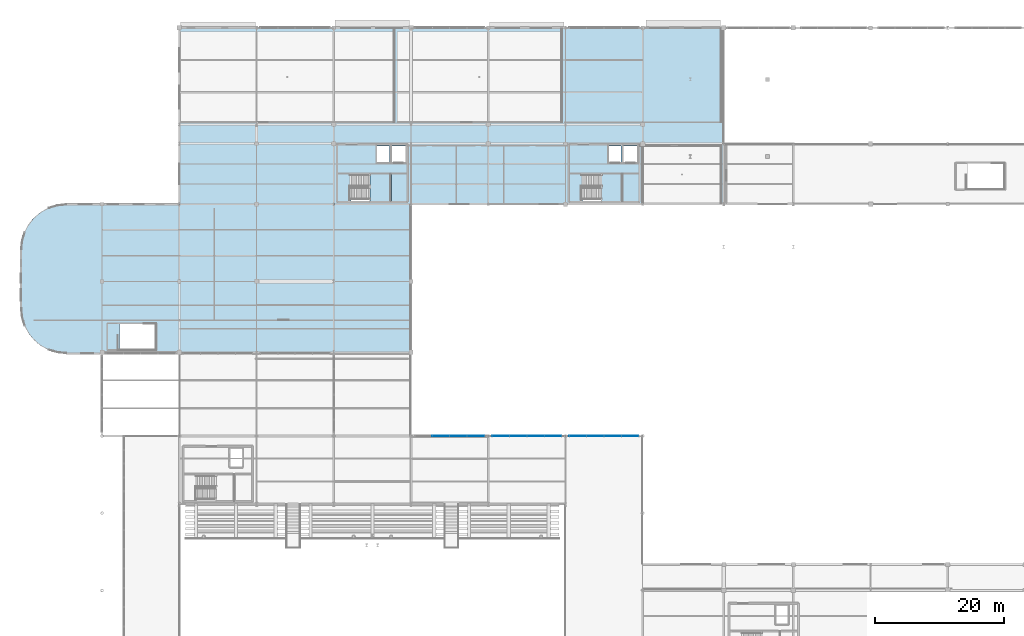
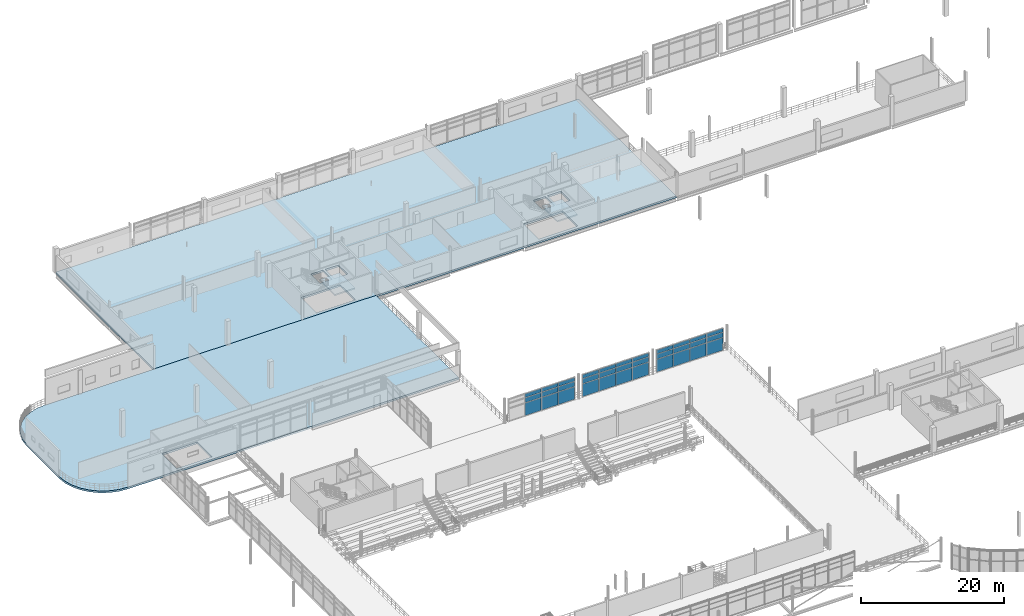
# One storey, part 59 of 89: 33 plates, 4 slabs, 5 elements without a shape of their own.
"""IFC4 building model written with IfcOpenShell, lengths in metres."""

from ifc_helpers import new_model, si_unit, direction, frame, origin, origin_2d, place, context, subcontext, project, spatial, polyline, rectangle, outline, extrude, material, layer, layer_set, type_object, element, aggregate, save


model = new_model("IFC4")

# Units and contexts
model_context = context("Model", 3, precision=1e-05, world=origin(), true_north=direction((0.0, 1.0)))
body_context = subcontext(model_context, "Body", "Model", "MODEL_VIEW")
ifc_project = project(units=[si_unit("LENGTHUNIT", "METRE"), si_unit("AREAUNIT", "SQUARE_METRE"), si_unit("VOLUMEUNIT", "CUBIC_METRE"), si_unit("PLANEANGLEUNIT", "RADIAN"), si_unit("MASSUNIT", "GRAM", prefix="KILO"), si_unit("THERMODYNAMICTEMPERATUREUNIT", "KELVIN"), si_unit("POWERUNIT", "WATT")], contexts=[model_context])

# Site, building, storey
site_placement = place(None, origin())
site = spatial("IfcSite", under=ifc_project, at=site_placement, CompositionType="ELEMENT")
building_placement = place(site_placement, origin())
building = spatial("IfcBuilding", under=site, at=building_placement, Name="Solmara Park Aquatics Centre", CompositionType="ELEMENT")
storey_placement = place(building_placement, frame((0.0, 0.0, 5.39990234375)))
storey = spatial("IfcBuildingStorey", under=building, at=storey_placement, Name="L01", CompositionType="ELEMENT", Elevation=5.39990234375)

# Curtain wall, plates
ifc_material_1 = material(Name="Anodised Aluminium Curtain Wall Framing", Category="aluminium")
curtain_wall_type = type_object("IfcCurtainWallType", Name="ARC-CW-SYS05", PredefinedType="USERDEFINED", material=ifc_material_1)
curtain_wall_1_placement = place(storey_placement, origin())
curtain_wall_1 = element("IfcCurtainWall", 1, at=curtain_wall_1_placement, inside=storey, type_object=curtain_wall_type, Name="Curtain Wall CW-022", ObjectType="CURTAIN WALL", PredefinedType="USERDEFINED")
ifc_material_2 = material(Name="Double Low-E Solar-Control Glazing", Category="glass")
ifc_layer_1 = layer(ifc_material_2, 0.035888671875, Name="Double Low-E Solar-Control Glazing")
ifc_layer_set_1 = layer_set([ifc_layer_1], Name="Double Low-E Solar-Control Glazing")
plate_type_1 = type_object("IfcPlateType", Name="ARC-CWP-GLZ36-2620x2140", PredefinedType="CURTAIN_PANEL", material=ifc_layer_set_1)
plate_1_placement = place(storey_placement, frame((65.22998046875, 72.60009765625, 0.080078125), z_axis=(0.0, 0.0, 1.0), x_axis=(1.0, 0.0, 0.0)))
plate_1 = element("IfcPlate", 2, at=plate_1_placement, type_object=plate_type_1, Name="CW-022 panel 4", PredefinedType="CURTAIN_PANEL", context=body_context, shape_type="SweptSolid", body=[
    extrude(rectangle(XDim=2.6201171875, YDim=0.035888671875, at=origin_2d()), origin(), (0.0, 0.0, 1.0), 2.14208984375),
])
plate_2_placement = place(storey_placement, frame((67.929931640625, 72.60009765625, 0.080078125), z_axis=(0.0, 0.0, 1.0), x_axis=(1.0, 0.0, 0.0)))
plate_2 = element("IfcPlate", 3, at=plate_2_placement, type_object=plate_type_1, Name="CW-022 panel 7", PredefinedType="CURTAIN_PANEL", context=body_context, shape_type="SweptSolid", body=[
    extrude(rectangle(XDim=2.6201171875, YDim=0.035888671875, at=origin_2d()), origin(), (0.0, 0.0, 1.0), 2.14208984375),
])
plate_3_placement = place(storey_placement, frame((70.6298828125, 72.60009765625, 0.080078125), z_axis=(0.0, 0.0, 1.0), x_axis=(1.0, 0.0, 0.0)))
plate_3 = element("IfcPlate", 4, at=plate_3_placement, type_object=plate_type_1, Name="CW-022 panel 10", PredefinedType="CURTAIN_PANEL", context=body_context, shape_type="SweptSolid", body=[
    extrude(rectangle(XDim=2.6201171875, YDim=0.035888671875, at=origin_2d()), origin(), (0.0, 0.0, 1.0), 2.14208984375),
])

curtain_wall_2_placement = place(storey_placement, origin())
curtain_wall_2 = element("IfcCurtainWall", 5, at=curtain_wall_2_placement, inside=storey, type_object=curtain_wall_type, Name="Curtain Wall CW-024", ObjectType="CURTAIN WALL", PredefinedType="USERDEFINED")
plate_4_placement = place(storey_placement, frame((74.530029296875, 72.60009765625, 0.080078125), z_axis=(0.0, 0.0, 1.0), x_axis=(1.0, 0.0, 0.0)))
plate_4 = element("IfcPlate", 6, at=plate_4_placement, type_object=plate_type_1, Name="CW-024 panel 1", PredefinedType="CURTAIN_PANEL", context=body_context, shape_type="SweptSolid", body=[
    extrude(rectangle(XDim=2.6201171875, YDim=0.035888671875, at=origin_2d()), origin(), (0.0, 0.0, 1.0), 2.14208984375),
])
plate_5_placement = place(storey_placement, frame((77.22998046875, 72.60009765625, 0.080078125), z_axis=(0.0, 0.0, 1.0), x_axis=(1.0, 0.0, 0.0)))
plate_5 = element("IfcPlate", 7, at=plate_5_placement, type_object=plate_type_1, Name="CW-024 panel 4", PredefinedType="CURTAIN_PANEL", context=body_context, shape_type="SweptSolid", body=[
    extrude(rectangle(XDim=2.6201171875, YDim=0.035888671875, at=origin_2d()), origin(), (0.0, 0.0, 1.0), 2.14208984375),
])
plate_6_placement = place(storey_placement, frame((79.929931640625, 72.60009765625, 0.080078125), z_axis=(0.0, 0.0, 1.0), x_axis=(1.0, 0.0, 0.0)))
plate_6 = element("IfcPlate", 8, at=plate_6_placement, type_object=plate_type_1, Name="CW-024 panel 7", PredefinedType="CURTAIN_PANEL", context=body_context, shape_type="SweptSolid", body=[
    extrude(rectangle(XDim=2.6201171875, YDim=0.035888671875, at=origin_2d()), origin(), (0.0, 0.0, 1.0), 2.14208984375),
])
plate_7_placement = place(storey_placement, frame((82.6298828125, 72.60009765625, 0.080078125), z_axis=(0.0, 0.0, 1.0), x_axis=(1.0, 0.0, 0.0)))
plate_7 = element("IfcPlate", 9, at=plate_7_placement, type_object=plate_type_1, Name="CW-024 panel 10", PredefinedType="CURTAIN_PANEL", context=body_context, shape_type="SweptSolid", body=[
    extrude(rectangle(XDim=2.6201171875, YDim=0.035888671875, at=origin_2d()), origin(), (0.0, 0.0, 1.0), 2.14208984375),
])

curtain_wall_3_placement = place(storey_placement, origin())
curtain_wall_3 = element("IfcCurtainWall", 10, at=curtain_wall_3_placement, inside=storey, type_object=curtain_wall_type, Name="Curtain Wall CW-026", ObjectType="CURTAIN WALL", PredefinedType="USERDEFINED")
plate_8_placement = place(storey_placement, frame((86.530029296875, 72.60009765625, 0.080078125), z_axis=(0.0, 0.0, 1.0), x_axis=(1.0, 0.0, 0.0)))
plate_8 = element("IfcPlate", 11, at=plate_8_placement, type_object=plate_type_1, Name="CW-026 panel 1", PredefinedType="CURTAIN_PANEL", context=body_context, shape_type="SweptSolid", body=[
    extrude(rectangle(XDim=2.6201171875, YDim=0.035888671875, at=origin_2d()), origin(), (0.0, 0.0, 1.0), 2.14208984375),
])
plate_9_placement = place(storey_placement, frame((89.22998046875, 72.60009765625, 0.080078125), z_axis=(0.0, 0.0, 1.0), x_axis=(1.0, 0.0, 0.0)))
plate_9 = element("IfcPlate", 12, at=plate_9_placement, type_object=plate_type_1, Name="CW-026 panel 4", PredefinedType="CURTAIN_PANEL", context=body_context, shape_type="SweptSolid", body=[
    extrude(rectangle(XDim=2.6201171875, YDim=0.035888671875, at=origin_2d()), origin(), (0.0, 0.0, 1.0), 2.14208984375),
])
plate_10_placement = place(storey_placement, frame((91.929931640625, 72.60009765625, 0.080078125), z_axis=(0.0, 0.0, 1.0), x_axis=(1.0, 0.0, 0.0)))
plate_10 = element("IfcPlate", 13, at=plate_10_placement, type_object=plate_type_1, Name="CW-026 panel 7", PredefinedType="CURTAIN_PANEL", context=body_context, shape_type="SweptSolid", body=[
    extrude(rectangle(XDim=2.6201171875, YDim=0.035888671875, at=origin_2d()), origin(), (0.0, 0.0, 1.0), 2.14208984375),
])
plate_11_placement = place(storey_placement, frame((94.6298828125, 72.60009765625, 0.080078125), z_axis=(0.0, 0.0, 1.0), x_axis=(1.0, 0.0, 0.0)))
plate_11 = element("IfcPlate", 14, at=plate_11_placement, type_object=plate_type_1, Name="CW-026 panel 10", PredefinedType="CURTAIN_PANEL", context=body_context, shape_type="SweptSolid", body=[
    extrude(rectangle(XDim=2.6201171875, YDim=0.035888671875, at=origin_2d()), origin(), (0.0, 0.0, 1.0), 2.14208984375),
])

# Plate
ifc_layer_2 = layer(ifc_material_2, 0.035888671875, Name="Double Low-E Solar-Control Glazing")
ifc_layer_set_2 = layer_set([ifc_layer_2], Name="Double Low-E Solar-Control Glazing")
plate_type_2 = type_object("IfcPlateType", Name="ARC-CWP-GLZ36-2620x800", PredefinedType="CURTAIN_PANEL", material=ifc_layer_set_2)
plate_12_placement = place(storey_placement, frame((65.22998046875, 72.60009765625, 2.302001953125), z_axis=(0.0, 0.0, 1.0), x_axis=(1.0, 0.0, 0.0)))
plate_12 = element("IfcPlate", 15, at=plate_12_placement, type_object=plate_type_2, Name="CW-022 panel 5", PredefinedType="CURTAIN_PANEL", context=body_context, shape_type="SweptSolid", body=[
    extrude(rectangle(XDim=2.6201171875, YDim=0.035888671875, at=origin_2d()), origin(), (0.0, 0.0, 1.0), 0.80810546875),
])

plate_13_placement = place(storey_placement, frame((67.929931640625, 72.60009765625, 2.302001953125), z_axis=(0.0, 0.0, 1.0), x_axis=(1.0, 0.0, 0.0)))
plate_13 = element("IfcPlate", 16, at=plate_13_placement, type_object=plate_type_2, Name="CW-022 panel 8", PredefinedType="CURTAIN_PANEL", context=body_context, shape_type="SweptSolid", body=[
    extrude(rectangle(XDim=2.6201171875, YDim=0.035888671875, at=origin_2d()), origin(), (0.0, 0.0, 1.0), 0.80810546875),
])

plate_14_placement = place(storey_placement, frame((70.6298828125, 72.60009765625, 2.302001953125), z_axis=(0.0, 0.0, 1.0), x_axis=(1.0, 0.0, 0.0)))
plate_14 = element("IfcPlate", 17, at=plate_14_placement, type_object=plate_type_2, Name="CW-022 panel 11", PredefinedType="CURTAIN_PANEL", context=body_context, shape_type="SweptSolid", body=[
    extrude(rectangle(XDim=2.6201171875, YDim=0.035888671875, at=origin_2d()), origin(), (0.0, 0.0, 1.0), 0.80810546875),
])

plate_15_placement = place(storey_placement, frame((74.530029296875, 72.60009765625, 2.302001953125), z_axis=(0.0, 0.0, 1.0), x_axis=(1.0, 0.0, 0.0)))
plate_15 = element("IfcPlate", 18, at=plate_15_placement, type_object=plate_type_2, Name="CW-024 panel 2", PredefinedType="CURTAIN_PANEL", context=body_context, shape_type="SweptSolid", body=[
    extrude(rectangle(XDim=2.6201171875, YDim=0.035888671875, at=origin_2d()), origin(), (0.0, 0.0, 1.0), 0.80810546875),
])

plate_16_placement = place(storey_placement, frame((77.22998046875, 72.60009765625, 2.302001953125), z_axis=(0.0, 0.0, 1.0), x_axis=(1.0, 0.0, 0.0)))
plate_16 = element("IfcPlate", 19, at=plate_16_placement, type_object=plate_type_2, Name="CW-024 panel 5", PredefinedType="CURTAIN_PANEL", context=body_context, shape_type="SweptSolid", body=[
    extrude(rectangle(XDim=2.6201171875, YDim=0.035888671875, at=origin_2d()), origin(), (0.0, 0.0, 1.0), 0.80810546875),
])

plate_17_placement = place(storey_placement, frame((79.929931640625, 72.60009765625, 2.302001953125), z_axis=(0.0, 0.0, 1.0), x_axis=(1.0, 0.0, 0.0)))
plate_17 = element("IfcPlate", 20, at=plate_17_placement, type_object=plate_type_2, Name="CW-024 panel 8", PredefinedType="CURTAIN_PANEL", context=body_context, shape_type="SweptSolid", body=[
    extrude(rectangle(XDim=2.6201171875, YDim=0.035888671875, at=origin_2d()), origin(), (0.0, 0.0, 1.0), 0.80810546875),
])

plate_18_placement = place(storey_placement, frame((82.6298828125, 72.60009765625, 2.302001953125), z_axis=(0.0, 0.0, 1.0), x_axis=(1.0, 0.0, 0.0)))
plate_18 = element("IfcPlate", 21, at=plate_18_placement, type_object=plate_type_2, Name="CW-024 panel 11", PredefinedType="CURTAIN_PANEL", context=body_context, shape_type="SweptSolid", body=[
    extrude(rectangle(XDim=2.6201171875, YDim=0.035888671875, at=origin_2d()), origin(), (0.0, 0.0, 1.0), 0.80810546875),
])

plate_19_placement = place(storey_placement, frame((86.530029296875, 72.60009765625, 2.302001953125), z_axis=(0.0, 0.0, 1.0), x_axis=(1.0, 0.0, 0.0)))
plate_19 = element("IfcPlate", 22, at=plate_19_placement, type_object=plate_type_2, Name="CW-026 panel 2", PredefinedType="CURTAIN_PANEL", context=body_context, shape_type="SweptSolid", body=[
    extrude(rectangle(XDim=2.6201171875, YDim=0.035888671875, at=origin_2d()), origin(), (0.0, 0.0, 1.0), 0.80810546875),
])

plate_20_placement = place(storey_placement, frame((89.22998046875, 72.60009765625, 2.302001953125), z_axis=(0.0, 0.0, 1.0), x_axis=(1.0, 0.0, 0.0)))
plate_20 = element("IfcPlate", 23, at=plate_20_placement, type_object=plate_type_2, Name="CW-026 panel 5", PredefinedType="CURTAIN_PANEL", context=body_context, shape_type="SweptSolid", body=[
    extrude(rectangle(XDim=2.6201171875, YDim=0.035888671875, at=origin_2d()), origin(), (0.0, 0.0, 1.0), 0.80810546875),
])

plate_21_placement = place(storey_placement, frame((91.929931640625, 72.60009765625, 2.302001953125), z_axis=(0.0, 0.0, 1.0), x_axis=(1.0, 0.0, 0.0)))
plate_21 = element("IfcPlate", 24, at=plate_21_placement, type_object=plate_type_2, Name="CW-026 panel 8", PredefinedType="CURTAIN_PANEL", context=body_context, shape_type="SweptSolid", body=[
    extrude(rectangle(XDim=2.6201171875, YDim=0.035888671875, at=origin_2d()), origin(), (0.0, 0.0, 1.0), 0.80810546875),
])

plate_22_placement = place(storey_placement, frame((94.6298828125, 72.60009765625, 2.302001953125), z_axis=(0.0, 0.0, 1.0), x_axis=(1.0, 0.0, 0.0)))
plate_22 = element("IfcPlate", 25, at=plate_22_placement, type_object=plate_type_2, Name="CW-026 panel 11", PredefinedType="CURTAIN_PANEL", context=body_context, shape_type="SweptSolid", body=[
    extrude(rectangle(XDim=2.6201171875, YDim=0.035888671875, at=origin_2d()), origin(), (0.0, 0.0, 1.0), 0.80810546875),
])

ifc_material_3 = material(Name="Golden-Ochre Enamelled Aluminium Fascia Panel", Category="aluminium")
ifc_layer_3 = layer(ifc_material_3, 0.0400390625, Name="Golden-Ochre Enamelled Aluminium Fascia Panel")
ifc_layer_set_3 = layer_set([ifc_layer_3], Name="Golden-Ochre Enamelled Aluminium Fascia Panel")
plate_type_3 = type_object("IfcPlateType", Name="ARC-CWP-OCH40-2620x640", PredefinedType="CURTAIN_PANEL", material=ifc_layer_set_3)
plate_23_placement = place(storey_placement, frame((74.530029296875, 72.60009765625, 3.190185546875), z_axis=(0.0, 0.0, 1.0), x_axis=(1.0, 0.0, 0.0)))
plate_23 = element("IfcPlate", 26, at=plate_23_placement, type_object=plate_type_3, Name="CW-024 panel 3", PredefinedType="CURTAIN_PANEL", context=body_context, shape_type="SweptSolid", body=[
    extrude(rectangle(XDim=2.6201171875, YDim=0.0400390625, at=origin_2d()), origin(), (0.0, 0.0, 1.0), 0.6298828125),
])

plate_24_placement = place(storey_placement, frame((77.22998046875, 72.60009765625, 3.190185546875), z_axis=(0.0, 0.0, 1.0), x_axis=(1.0, 0.0, 0.0)))
plate_24 = element("IfcPlate", 27, at=plate_24_placement, type_object=plate_type_3, Name="CW-024 panel 6", PredefinedType="CURTAIN_PANEL", context=body_context, shape_type="SweptSolid", body=[
    extrude(rectangle(XDim=2.6201171875, YDim=0.0400390625, at=origin_2d()), origin(), (0.0, 0.0, 1.0), 0.6298828125),
])

plate_25_placement = place(storey_placement, frame((79.929931640625, 72.60009765625, 3.190185546875), z_axis=(0.0, 0.0, 1.0), x_axis=(1.0, 0.0, 0.0)))
plate_25 = element("IfcPlate", 28, at=plate_25_placement, type_object=plate_type_3, Name="CW-024 panel 9", PredefinedType="CURTAIN_PANEL", context=body_context, shape_type="SweptSolid", body=[
    extrude(rectangle(XDim=2.6201171875, YDim=0.0400390625, at=origin_2d()), origin(), (0.0, 0.0, 1.0), 0.6298828125),
])

plate_26_placement = place(storey_placement, frame((82.6298828125, 72.60009765625, 3.190185546875), z_axis=(0.0, 0.0, 1.0), x_axis=(1.0, 0.0, 0.0)))
plate_26 = element("IfcPlate", 29, at=plate_26_placement, type_object=plate_type_3, Name="CW-024 panel 12", PredefinedType="CURTAIN_PANEL", context=body_context, shape_type="SweptSolid", body=[
    extrude(rectangle(XDim=2.6201171875, YDim=0.0400390625, at=origin_2d()), origin(), (0.0, 0.0, 1.0), 0.6298828125),
])

aggregate(curtain_wall_2, [plate_4, plate_15, plate_23, plate_5, plate_16, plate_24, plate_6, plate_17, plate_25, plate_7, plate_18, plate_26])

ifc_material_4 = material(Name="Insulated Anodised Aluminium Spandrel Panel", Category="aluminium")
ifc_layer_4 = layer(ifc_material_4, 0.0439453125, Name="Insulated Anodised Aluminium Spandrel Panel")
ifc_layer_set_4 = layer_set([ifc_layer_4], Name="Insulated Anodised Aluminium Spandrel Panel")
plate_type_4 = type_object("IfcPlateType", Name="ARC-CWP-SPN44-2620x640", PredefinedType="CURTAIN_PANEL", material=ifc_layer_set_4)
plate_27_placement = place(storey_placement, frame((65.22998046875, 72.60009765625, 3.190185546875), z_axis=(0.0, 0.0, 1.0), x_axis=(1.0, 0.0, 0.0)))
plate_27 = element("IfcPlate", 30, at=plate_27_placement, type_object=plate_type_4, Name="CW-022 panel 6", PredefinedType="CURTAIN_PANEL", context=body_context, shape_type="SweptSolid", body=[
    extrude(rectangle(XDim=2.6201171875, YDim=0.0439453125, at=origin_2d()), origin(), (0.0, 0.0, 1.0), 0.6298828125),
])

plate_28_placement = place(storey_placement, frame((67.929931640625, 72.60009765625, 3.190185546875), z_axis=(0.0, 0.0, 1.0), x_axis=(1.0, 0.0, 0.0)))
plate_28 = element("IfcPlate", 31, at=plate_28_placement, type_object=plate_type_4, Name="CW-022 panel 9", PredefinedType="CURTAIN_PANEL", context=body_context, shape_type="SweptSolid", body=[
    extrude(rectangle(XDim=2.6201171875, YDim=0.0439453125, at=origin_2d()), origin(), (0.0, 0.0, 1.0), 0.6298828125),
])

plate_29_placement = place(storey_placement, frame((70.6298828125, 72.60009765625, 3.190185546875), z_axis=(0.0, 0.0, 1.0), x_axis=(1.0, 0.0, 0.0)))
plate_29 = element("IfcPlate", 32, at=plate_29_placement, type_object=plate_type_4, Name="CW-022 panel 12", PredefinedType="CURTAIN_PANEL", context=body_context, shape_type="SweptSolid", body=[
    extrude(rectangle(XDim=2.6201171875, YDim=0.0439453125, at=origin_2d()), origin(), (0.0, 0.0, 1.0), 0.6298828125),
])

aggregate(curtain_wall_1, [plate_1, plate_12, plate_27, plate_2, plate_13, plate_28, plate_3, plate_14, plate_29])

plate_30_placement = place(storey_placement, frame((86.530029296875, 72.60009765625, 3.190185546875), z_axis=(0.0, 0.0, 1.0), x_axis=(1.0, 0.0, 0.0)))
plate_30 = element("IfcPlate", 33, at=plate_30_placement, type_object=plate_type_4, Name="CW-026 panel 3", PredefinedType="CURTAIN_PANEL", context=body_context, shape_type="SweptSolid", body=[
    extrude(rectangle(XDim=2.6201171875, YDim=0.0439453125, at=origin_2d()), origin(), (0.0, 0.0, 1.0), 0.6298828125),
])

plate_31_placement = place(storey_placement, frame((89.22998046875, 72.60009765625, 3.190185546875), z_axis=(0.0, 0.0, 1.0), x_axis=(1.0, 0.0, 0.0)))
plate_31 = element("IfcPlate", 34, at=plate_31_placement, type_object=plate_type_4, Name="CW-026 panel 6", PredefinedType="CURTAIN_PANEL", context=body_context, shape_type="SweptSolid", body=[
    extrude(rectangle(XDim=2.6201171875, YDim=0.0439453125, at=origin_2d()), origin(), (0.0, 0.0, 1.0), 0.6298828125),
])

plate_32_placement = place(storey_placement, frame((91.929931640625, 72.60009765625, 3.190185546875), z_axis=(0.0, 0.0, 1.0), x_axis=(1.0, 0.0, 0.0)))
plate_32 = element("IfcPlate", 35, at=plate_32_placement, type_object=plate_type_4, Name="CW-026 panel 9", PredefinedType="CURTAIN_PANEL", context=body_context, shape_type="SweptSolid", body=[
    extrude(rectangle(XDim=2.6201171875, YDim=0.0439453125, at=origin_2d()), origin(), (0.0, 0.0, 1.0), 0.6298828125),
])

plate_33_placement = place(storey_placement, frame((94.6298828125, 72.60009765625, 3.190185546875), z_axis=(0.0, 0.0, 1.0), x_axis=(1.0, 0.0, 0.0)))
plate_33 = element("IfcPlate", 36, at=plate_33_placement, type_object=plate_type_4, Name="CW-026 panel 12", PredefinedType="CURTAIN_PANEL", context=body_context, shape_type="SweptSolid", body=[
    extrude(rectangle(XDim=2.6201171875, YDim=0.0439453125, at=origin_2d()), origin(), (0.0, 0.0, 1.0), 0.6298828125),
])

aggregate(curtain_wall_3, [plate_8, plate_19, plate_30, plate_9, plate_20, plate_31, plate_10, plate_21, plate_32, plate_11, plate_22, plate_33])

# Stair, slab
ifc_material_5 = material(Name="Concrete C40/50", Category="concrete")
stair_type = type_object("IfcStairType", Name="ARC-ST-CORE", PredefinedType="HALF_TURN_STAIR", material=ifc_material_5)
stair_1_placement = place(storey_placement, origin())
stair_1 = element("IfcStair", 37, at=stair_1_placement, inside=storey, type_object=stair_type, Name="ST-01 Protected Exit Stair (L01 to L02)", PredefinedType="HALF_TURN_STAIR")
ifc_layer_5 = layer(ifc_material_5, 0.219970703125, Name="Concrete C40/50")
ifc_layer_set_5 = layer_set([ifc_layer_5], Name="Concrete C40/50")
slab_type_1 = type_object("IfcSlabType", Name="ARC-SLB-LND220", PredefinedType="LANDING", material=ifc_layer_set_5)
slab_1_placement = place(storey_placement, frame((0.0, 0.0, 1.880126953125)))
slab_1 = element("IfcSlab", 38, at=slab_1_placement, type_object=slab_type_1, Name="ST-01 landing 1", PredefinedType="LANDING", context=body_context, shape_type="SweptSolid", body=[
    extrude(outline(polyline([(54.18994140625, 109.030029296875), (57.47998046875, 109.030029296875), (57.47998046875, 113.3701171875), (54.18994140625, 113.3701171875), (54.18994140625, 109.030029296875)])), origin(), (0.0, 0.0, 1.0), 0.219970703125),
])
aggregate(stair_1, [slab_1])

stair_2_placement = place(storey_placement, origin())
stair_2 = element("IfcStair", 39, at=stair_2_placement, inside=storey, type_object=stair_type, Name="ST-02 Protected Exit Stair (L01 to L02)", PredefinedType="HALF_TURN_STAIR")
slab_2_placement = place(storey_placement, frame((0.0, 0.0, 1.880126953125)))
slab_2 = element("IfcSlab", 40, at=slab_2_placement, type_object=slab_type_1, Name="ST-02 landing 1", PredefinedType="LANDING", context=body_context, shape_type="SweptSolid", body=[
    extrude(outline(polyline([(90.18994140625, 109.030029296875), (93.47998046875, 109.030029296875), (93.47998046875, 113.3701171875), (90.18994140625, 113.3701171875), (90.18994140625, 109.030029296875)])), origin(), (0.0, 0.0, 1.0), 0.219970703125),
])
aggregate(stair_2, [slab_2])

# Slabs
ifc_layer_6 = layer(ifc_material_5, 0.320068359375, Name="Concrete C40/50")
ifc_layer_set_6 = layer_set([ifc_layer_6], Name="Concrete C40/50")
slab_type_2 = type_object("IfcSlabType", Name="STR-SLB-GYM320", PredefinedType="FLOOR", material=ifc_layer_set_6)
slab_3_placement = place(storey_placement, frame((0.0, 0.0, -0.31982421875)))
element("IfcSlab", 41, at=slab_3_placement, inside=storey, type_object=slab_type_2, Name="Changing & Club Wing L01 Floor Slab", PredefinedType="FLOOR", context=body_context, shape_type="SweptSolid", body=[
    extrude(outline(polyline([(0.0, 92.39990234375), (0.134521484375, 91.034423828125), (0.53271484375, 89.72119140625), (1.1796875, 88.510986328125), (2.05029296875, 87.4501953125), (3.111083984375, 86.57958984375), (4.3212890625, 85.932861328125), (5.634521484375, 85.534423828125), (7.0, 85.39990234375), (60.60009765625, 85.39990234375), (60.60009765625, 108.60009765625), (7.0, 108.60009765625), (5.634521484375, 108.465576171875), (4.3212890625, 108.067138671875), (3.111083984375, 107.42041015625), (2.05029296875, 106.5498046875), (1.1796875, 105.489013671875), (0.53271484375, 104.27880859375), (0.134521484375, 102.965576171875), (0.0, 101.60009765625), (0.0, 92.39990234375)]), holes=[polyline([(15.280029296875, 85.93994140625), (20.9599609375, 85.93994140625), (20.9599609375, 90.10009765625), (15.280029296875, 90.10009765625), (15.280029296875, 85.93994140625)])]), origin(), (0.0, 0.0, 1.0), 0.31982421875),
])
slab_4_placement = place(storey_placement, frame((0.0, 0.0, -0.31982421875)))
element("IfcSlab", 42, at=slab_4_placement, inside=storey, type_object=slab_type_2, Name="Fitness & Conditioning Wing L01 Floor Slab", PredefinedType="FLOOR", context=body_context, shape_type="SweptSolid", body=[
    extrude(outline(polyline([(24.60009765625, 108.60009765625), (109.199951171875, 108.60009765625), (109.199951171875, 136.0), (24.60009765625, 136.0), (24.60009765625, 108.60009765625)]), holes=[polyline([(51.25, 109.1298828125), (57.550048828125, 109.1298828125), (57.550048828125, 113.3701171875), (51.25, 113.3701171875), (51.25, 109.1298828125)]), polyline([(57.60009765625, 115.10009765625), (59.75, 115.10009765625), (59.75, 117.64990234375), (57.60009765625, 117.64990234375), (57.60009765625, 115.10009765625)]), polyline([(55.300048828125, 115.10009765625), (57.25, 115.10009765625), (57.25, 117.64990234375), (55.300048828125, 117.64990234375), (55.300048828125, 115.10009765625)]), polyline([(87.25, 109.1298828125), (93.550048828125, 109.1298828125), (93.550048828125, 113.3701171875), (87.25, 113.3701171875), (87.25, 109.1298828125)]), polyline([(93.60009765625, 115.10009765625), (95.75, 115.10009765625), (95.75, 117.64990234375), (93.60009765625, 117.64990234375), (93.60009765625, 115.10009765625)]), polyline([(91.300048828125, 115.10009765625), (93.25, 115.10009765625), (93.25, 117.64990234375), (91.300048828125, 117.64990234375), (91.300048828125, 115.10009765625)])]), origin(), (0.0, 0.0, 1.0), 0.31982421875),
])

save(model, "model.ifc")
